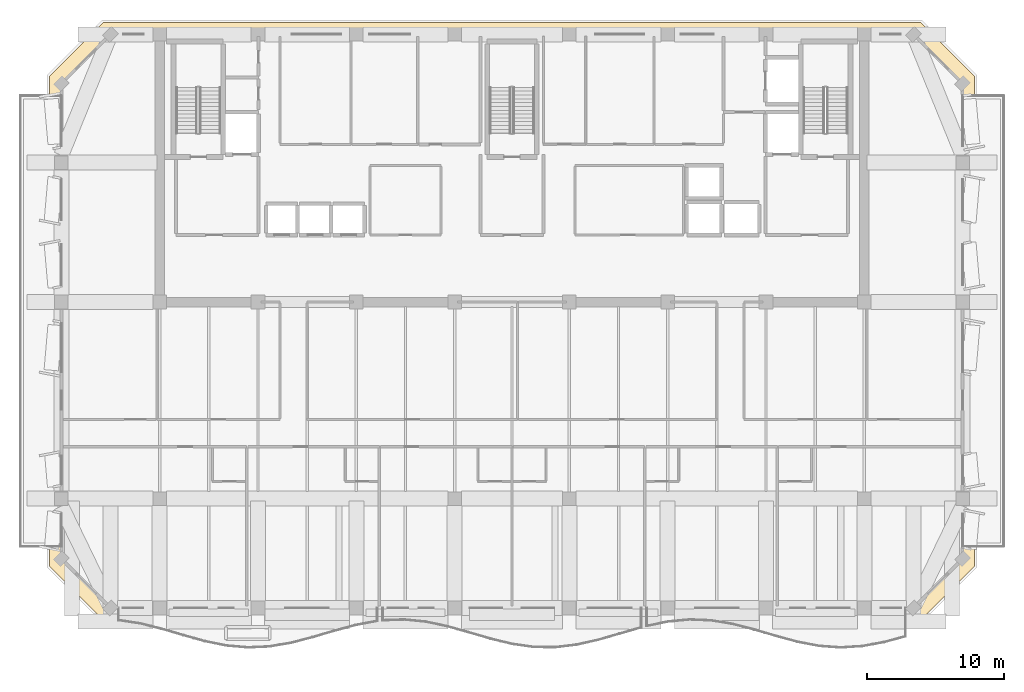
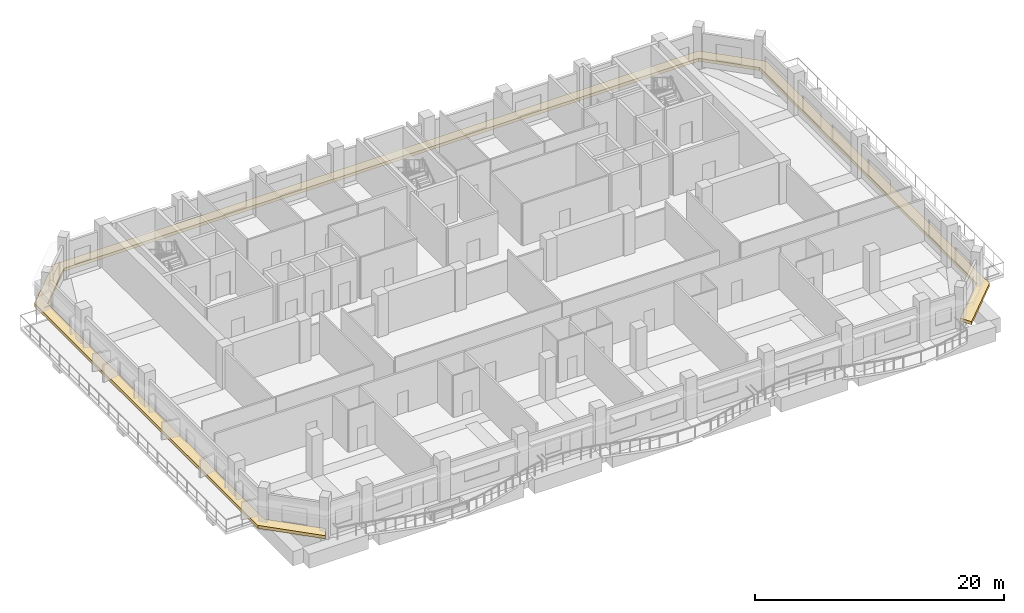
# One storey, part 10 of 12: 1 covering.
"""IFC4 building model written with IfcOpenShell, lengths in metres."""

from ifc_helpers import new_model, si_unit, direction, frame, origin, place, context, subcontext, project, spatial, polyline, outline, extrude, material, layer, layer_set, type_object, element, save


model = new_model("IFC4")

# Units and contexts
model_context = context("Model", 3, precision=1e-05, world=origin(), true_north=direction((0.0, 1.0)))
body_context = subcontext(model_context, "Body", "Model", "MODEL_VIEW")
ifc_project = project(units=[si_unit("LENGTHUNIT", "METRE"), si_unit("AREAUNIT", "SQUARE_METRE"), si_unit("VOLUMEUNIT", "CUBIC_METRE"), si_unit("PLANEANGLEUNIT", "RADIAN"), si_unit("MASSUNIT", "GRAM", prefix="KILO")], contexts=[model_context])

# Site, building, storey
site_placement = place(None, origin())
site = spatial("IfcSite", under=ifc_project, at=site_placement, CompositionType="ELEMENT")
building_placement = place(site_placement, origin())
building = spatial("IfcBuilding", under=site, at=building_placement, Name="Kaelvorn Grand Hotel", CompositionType="ELEMENT")
storey_placement = place(building_placement, frame((0.0, 0.0, 285.89990234375)))
storey = spatial("IfcBuildingStorey", under=building, at=storey_placement, Name="L70", CompositionType="ELEMENT", Elevation=285.89990234375)

# Covering
ifc_material = material(Name="Precast concrete C45/55", Category="concrete")
ifc_layer = layer(ifc_material, 0.219970703125)
ifc_layer_set = layer_set([ifc_layer], Name="Precast concrete C45/55")
covering_type = type_object("IfcCoveringType", Name="COV-BAND-STREAMLINE-SILL", PredefinedType="CLADDING", material=ifc_layer_set)
covering_placement = place(storey_placement, frame((0.0, 0.0, 0.4501953125)))
element("IfcCovering", 1, at=covering_placement, inside=storey, type_object=covering_type, Name="L70 Streamline Moderne Wraparound Horizontal Sill Spandrel Band", PredefinedType="CLADDING", context=body_context, shape_type="SweptSolid", body=[
    extrude(outline(polyline([(71.91552734375, 6.1201171875), (75.8798828125, 10.08447265625), (75.8798828125, 45.91552734375), (71.91552734375, 49.8798828125), (12.08447265625, 49.8798828125), (8.1201171875, 45.91552734375), (8.1201171875, 10.08447265625), (12.08447265625, 6.1201171875), (12.61767578125, 7.030029296875), (9.030029296875, 10.61767578125), (9.030029296875, 45.38232421875), (12.61767578125, 48.969970703125), (71.38232421875, 48.969970703125), (74.969970703125, 45.38232421875), (74.969970703125, 10.61767578125), (71.38232421875, 7.030029296875), (71.91552734375, 6.1201171875)])), origin(), (0.0, 0.0, 1.0), 0.2998046875),
])

save(model, "model.ifc")
